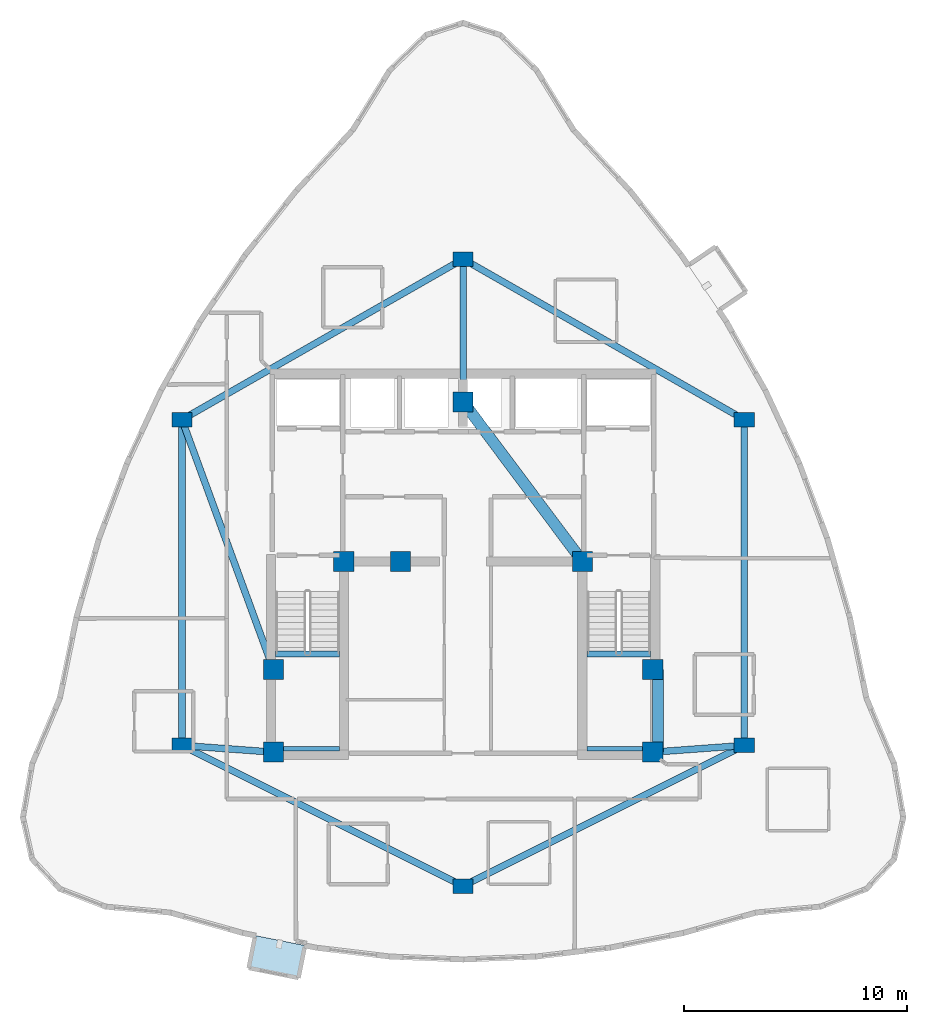
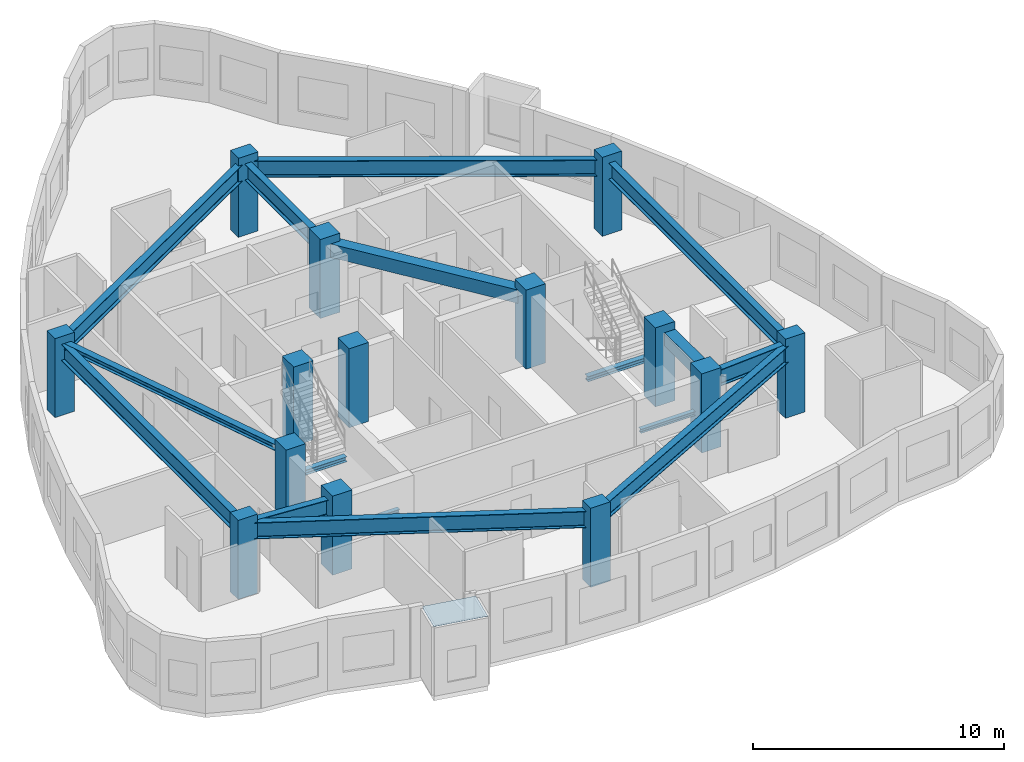
# One storey, part 1 of 10: 16 beams, 14 columns, 1 plate.
"""IFC4 building model written with IfcOpenShell, lengths in metres."""

from ifc_helpers import new_model, si_unit, direction, frame, origin, origin_2d, place, context, subcontext, project, spatial, polyline, rectangle, i_section, outline, extrude, material, layer, layer_set, material_profile, profile_set, type_object, element, save


model = new_model("IFC4")

# Units and contexts
model_context = context("Model", 3, precision=1e-05, world=origin(), true_north=direction((0.0, 1.0)))
body_context = subcontext(model_context, "Body", "Model", "MODEL_VIEW")
ifc_project = project(units=[si_unit("LENGTHUNIT", "METRE"), si_unit("AREAUNIT", "SQUARE_METRE"), si_unit("VOLUMEUNIT", "CUBIC_METRE"), si_unit("PLANEANGLEUNIT", "RADIAN"), si_unit("MASSUNIT", "GRAM", prefix="KILO")], contexts=[model_context])

# Site, building, storey
site_placement = place(None, origin())
site = spatial("IfcSite", under=ifc_project, at=site_placement, CompositionType="ELEMENT")
building_placement = place(site_placement, origin())
building = spatial("IfcBuilding", under=site, at=building_placement, Name="Miruveldt Soraemaru", CompositionType="ELEMENT")
storey_placement = place(building_placement, frame((0.0, 0.0, 278.949951171875)))
storey = spatial("IfcBuildingStorey", under=building, at=storey_placement, Name="L76", CompositionType="ELEMENT", Elevation=278.949951171875)

# Columns
ifc_material_1 = material(Name="Concrete C50/60 (50 MPa)", Category="concrete")
ifc_material_profile_1 = material_profile(ifc_material_1, rectangle(XDim=0.89990234375, YDim=0.89990234375, at=origin_2d()), Name="Concrete C50/60 (50 MPa)", Category="concrete")
ifc_profile_set_1 = profile_set([ifc_material_profile_1], Name="Concrete C50/60 (50 MPa)")
column_type_1 = type_object("IfcColumnType", Name="COL-CORE-900", PredefinedType="COLUMN", material=ifc_profile_set_1)
for number, where, z_axis, x_axis, name in (
    (1, (35.5, 35.5, 0.0), (0.0, 0.0, 1.0), (1.0, 0.0, 0.0), "L76 Structural Column CC1"),
    (2, (38.64990234375, 44.050048828125, 0.0), (0.0, 0.0, 1.0), (1.0, 0.0, 0.0), "L76 Structural Column CC2"),
    (3, (52.5, 35.5, 0.0), (0.0, 0.0, 1.0), (1.0, 0.0, 0.0), "L76 Structural Column CC3"),
    (4, (52.5, 39.199951171875, 0.0), (0.0, 0.0, 1.0), (1.0, 0.0, 0.0), "L76 Structural Column CC4"),
    (5, (49.35009765625, 44.050048828125, 0.0), (0.0, 0.0, 1.0), (1.0, 0.0, 0.0), "L76 Structural Column CC5"),
    (6, (44.0, 51.199951171875, 0.0), (0.0, 0.0, 1.0), (1.0, 0.0, 0.0), "L76 Structural Column CC6"),
    (7, (35.5, 39.199951171875, 0.0), (0.0, 0.0, 1.0), (1.0, 0.0, 0.0), "L76 Structural Column CC7"),
    (8, (41.199951171875, 44.050048828125, 0.0), (0.0, 0.0, 1.0), (1.0, 0.0, 0.0), "L76 Structural Column CC8"),
):
    element("IfcColumn", number, at=place(storey_placement, frame(where, z_axis=z_axis, x_axis=x_axis)), inside=storey, type_object=column_type_1, Name=name, PredefinedType="COLUMN", context=body_context, shape_type="SweptSolid", body=[
        extrude(rectangle(XDim=0.89990234375, YDim=0.89990234375, at=origin_2d()), origin(), (0.0, 0.0, 1.0), 3.85009765625),
    ])
ifc_material_profile_2 = material_profile(ifc_material_1, rectangle(XDim=0.89990234375, YDim=0.64990234375, at=origin_2d()), Name="Concrete C50/60 (50 MPa)", Category="concrete")
ifc_profile_set_2 = profile_set([ifc_material_profile_2], Name="Concrete C50/60 (50 MPa)")
column_type_2 = type_object("IfcColumnType", Name="COL-TW-Z4", PredefinedType="COLUMN", material=ifc_profile_set_2)
for number, where, z_axis, x_axis, name in (
    (9, (44.0, 57.60009765625, 0.0), (0.0, 0.0, 1.0), (1.0, 0.0, 0.0), "L76 Structural Column IR01"),
    (10, (56.60009765625, 50.39990234375, 0.0), (0.0, 0.0, 1.0), (1.0, 0.0, 0.0), "L76 Structural Column IR02"),
    (11, (56.60009765625, 35.800048828125, 0.0), (0.0, 0.0, 1.0), (1.0, 0.0, 0.0), "L76 Structural Column IR03"),
    (12, (44.0, 29.5, 0.0), (0.0, 0.0, 1.0), (1.0, 0.0, 0.0), "L76 Structural Column IR04"),
    (13, (31.39990234375, 35.800048828125, 0.0), (0.0, 0.0, 1.0), (1.0, 0.0, 0.0), "L76 Structural Column IR05"),
    (14, (31.39990234375, 50.39990234375, 0.0), (0.0, 0.0, 1.0), (1.0, 0.0, 0.0), "L76 Structural Column IR06"),
):
    element("IfcColumn", number, at=place(storey_placement, frame(where, z_axis=z_axis, x_axis=x_axis)), inside=storey, type_object=column_type_2, Name=name, PredefinedType="COLUMN", context=body_context, shape_type="SweptSolid", body=[
        extrude(rectangle(XDim=0.89990234375, YDim=0.64990234375, at=origin_2d()), origin(), (0.0, 0.0, 1.0), 3.85009765625),
    ])

# Beams
ifc_material_2 = material(Name="Steel SM355 (355 MPa)", Category="steel")
ifc_material_profile_3 = material_profile(ifc_material_2, i_section(OverallWidth=0.300048828125, OverallDepth=0.300048828125, WebThickness=0.010009765625, FlangeThickness=0.014892578125, FilletRadius=0.01806640625, at=origin_2d()), Name="Steel SM355 (355 MPa)", Category="steel")
ifc_profile_set_3 = profile_set([ifc_material_profile_3], Name="Steel SM355 (355 MPa)")
beam_type_1 = type_object("IfcBeamType", Name="BM-LNT-H300", PredefinedType="LINTEL", material=ifc_profile_set_3)
beam_1_placement = place(storey_placement, frame((31.39990234375, 50.39990234375, 3.320068359375), z_axis=(0.343770424598, -0.939053723262, 0.0), x_axis=(0.939053723262, 0.343770424598, 0.0)))
element("IfcBeam", 15, at=beam_1_placement, inside=storey, type_object=beam_type_1, Name="L76 West Lobby Lintel", PredefinedType="LINTEL", context=body_context, shape_type="SweptSolid", body=[
    extrude(i_section(OverallWidth=0.300048828125, OverallDepth=0.300048828125, WebThickness=0.010009765625, FlangeThickness=0.014892578125, FilletRadius=0.01806640625, at=origin_2d()), origin(), (0.0, 0.0, 1.0), 11.9267578125),
])
ifc_material_profile_4 = material_profile(ifc_material_1, rectangle(XDim=0.5, YDim=0.64990234375, at=origin_2d()), Name="Concrete C50/60 (50 MPa)", Category="concrete")
ifc_profile_set_4 = profile_set([ifc_material_profile_4], Name="Concrete C50/60 (50 MPa)")
beam_type_2 = type_object("IfcBeamType", Name="BM-RC-500x650", PredefinedType="BEAM", material=ifc_profile_set_4)
beam_2_placement = place(storey_placement, frame((52.72998046875, 35.5, 3.14501953125), z_axis=(0.0, 1.0, 0.0), x_axis=(-1.0, 0.0, 0.0)))
element("IfcBeam", 16, at=beam_2_placement, inside=storey, type_object=beam_type_2, Name="L76 Core Tie Beam 3", PredefinedType="BEAM", context=body_context, shape_type="SweptSolid", body=[
    extrude(rectangle(XDim=0.5, YDim=0.64990234375, at=origin_2d()), origin(), (0.0, 0.0, 1.0), 3.699951171875),
])
beam_3_placement = place(storey_placement, frame((49.35009765625, 44.050048828125, 3.14501953125), z_axis=(-0.599116023999, 0.800662219533, 0.0), x_axis=(-0.800662219533, -0.599116023999, 0.0)))
element("IfcBeam", 17, at=beam_3_placement, inside=storey, type_object=beam_type_2, Name="L76 Core Tie Beam 5", PredefinedType="BEAM", context=body_context, shape_type="SweptSolid", body=[
    extrude(rectangle(XDim=0.5, YDim=0.64990234375, at=origin_2d()), origin(), (0.0, 0.0, 1.0), 8.929931640625),
])
ifc_material_3 = material(Name="Steel S460 (460 MPa)", Category="steel")
ifc_material_profile_5 = material_profile(ifc_material_3, i_section(OverallWidth=0.300048828125, OverallDepth=0.800048828125, WebThickness=0.013916015625, FlangeThickness=0.02587890625, FilletRadius=0.028076171875, at=origin_2d()), Name="Steel S460 (460 MPa)", Category="steel")
ifc_profile_set_5 = profile_set([ifc_material_profile_5], Name="Steel S460 (460 MPa)")
beam_type_3 = type_object("IfcBeamType", Name="BM-ST-H800", PredefinedType="BEAM", material=ifc_profile_set_5)
beam_4_placement = place(storey_placement, frame((44.0, 57.60009765625, 3.070068359375), z_axis=(0.868239001029, -0.496146185203, 0.0), x_axis=(0.496146185203, 0.868239001029, 0.0)))
element("IfcBeam", 18, at=beam_4_placement, inside=storey, type_object=beam_type_3, Name="L76 Inner Ring Girder 1", PredefinedType="BEAM", context=body_context, shape_type="SweptSolid", body=[
    extrude(i_section(OverallWidth=0.300048828125, OverallDepth=0.800048828125, WebThickness=0.013916015625, FlangeThickness=0.02587890625, FilletRadius=0.028076171875, at=origin_2d()), origin(), (0.0, 0.0, 1.0), 14.51220703125),
])
beam_5_placement = place(storey_placement, frame((44.0, 51.199951171875, 3.070068359375), z_axis=(0.0, 1.0, 0.0), x_axis=(-1.0, 0.0, 0.0)))
element("IfcBeam", 19, at=beam_5_placement, inside=storey, type_object=beam_type_3, Name="L76 Core-to-Inner Radial Girder 1", PredefinedType="BEAM", context=body_context, shape_type="SweptSolid", body=[
    extrude(i_section(OverallWidth=0.300048828125, OverallDepth=0.800048828125, WebThickness=0.013916015625, FlangeThickness=0.02587890625, FilletRadius=0.028076171875, at=origin_2d()), origin(), (0.0, 0.0, 1.0), 6.400146484375),
])
beam_6_placement = place(storey_placement, frame((56.60009765625, 50.39990234375, 3.070068359375), z_axis=(0.0, -1.0, 0.0), x_axis=(1.0, 0.0, 0.0)))
element("IfcBeam", 20, at=beam_6_placement, inside=storey, type_object=beam_type_3, Name="L76 Inner Ring Girder 2", PredefinedType="BEAM", context=body_context, shape_type="SweptSolid", body=[
    extrude(i_section(OverallWidth=0.300048828125, OverallDepth=0.800048828125, WebThickness=0.013916015625, FlangeThickness=0.02587890625, FilletRadius=0.028076171875, at=origin_2d()), origin(), (0.0, 0.0, 1.0), 14.599853515625),
])
beam_7_placement = place(storey_placement, frame((56.60009765625, 35.800048828125, 3.070068359375), z_axis=(-0.894427191, -0.4472135955, 0.0), x_axis=(0.4472135955, -0.894427191, 0.0)))
element("IfcBeam", 21, at=beam_7_placement, inside=storey, type_object=beam_type_3, Name="L76 Inner Ring Girder 3", PredefinedType="BEAM", context=body_context, shape_type="SweptSolid", body=[
    extrude(i_section(OverallWidth=0.300048828125, OverallDepth=0.800048828125, WebThickness=0.013916015625, FlangeThickness=0.02587890625, FilletRadius=0.028076171875, at=origin_2d()), origin(), (0.0, 0.0, 1.0), 14.08740234375),
])
beam_8_placement = place(storey_placement, frame((52.5, 35.5, 3.070068359375), z_axis=(0.997332985605, 0.072985723431, 0.0), x_axis=(-0.072985723431, 0.997332985605, 0.0)))
element("IfcBeam", 22, at=beam_8_placement, inside=storey, type_object=beam_type_3, Name="L76 Core-to-Inner Radial Girder 3", PredefinedType="BEAM", context=body_context, shape_type="SweptSolid", body=[
    extrude(i_section(OverallWidth=0.300048828125, OverallDepth=0.800048828125, WebThickness=0.013916015625, FlangeThickness=0.02587890625, FilletRadius=0.028076171875, at=origin_2d()), origin(), (0.0, 0.0, 1.0), 4.111083984375),
])
beam_9_placement = place(storey_placement, frame((44.0, 29.5, 3.070068359375), z_axis=(-0.894427191, 0.4472135955, 0.0), x_axis=(-0.4472135955, -0.894427191, 0.0)))
element("IfcBeam", 23, at=beam_9_placement, inside=storey, type_object=beam_type_3, Name="L76 Inner Ring Girder 4", PredefinedType="BEAM", context=body_context, shape_type="SweptSolid", body=[
    extrude(i_section(OverallWidth=0.300048828125, OverallDepth=0.800048828125, WebThickness=0.013916015625, FlangeThickness=0.02587890625, FilletRadius=0.028076171875, at=origin_2d()), origin(), (0.0, 0.0, 1.0), 14.08740234375),
])
beam_10_placement = place(storey_placement, frame((31.39990234375, 35.800048828125, 3.070068359375), z_axis=(0.0, 1.0, 0.0), x_axis=(-1.0, 0.0, 0.0)))
element("IfcBeam", 24, at=beam_10_placement, inside=storey, type_object=beam_type_3, Name="L76 Inner Ring Girder 5", PredefinedType="BEAM", context=body_context, shape_type="SweptSolid", body=[
    extrude(i_section(OverallWidth=0.300048828125, OverallDepth=0.800048828125, WebThickness=0.013916015625, FlangeThickness=0.02587890625, FilletRadius=0.028076171875, at=origin_2d()), origin(), (0.0, 0.0, 1.0), 14.599853515625),
])
beam_11_placement = place(storey_placement, frame((35.5, 35.5, 3.070068359375), z_axis=(-0.997332985605, 0.072985723431, 0.0), x_axis=(-0.072985723431, -0.997332985605, 0.0)))
element("IfcBeam", 25, at=beam_11_placement, inside=storey, type_object=beam_type_3, Name="L76 Core-to-Inner Radial Girder 5", PredefinedType="BEAM", context=body_context, shape_type="SweptSolid", body=[
    extrude(i_section(OverallWidth=0.300048828125, OverallDepth=0.800048828125, WebThickness=0.013916015625, FlangeThickness=0.02587890625, FilletRadius=0.028076171875, at=origin_2d()), origin(), (0.0, 0.0, 1.0), 4.111083984375),
])
beam_12_placement = place(storey_placement, frame((31.39990234375, 50.39990234375, 3.070068359375), z_axis=(0.868239001029, 0.496146185203, 0.0), x_axis=(-0.496146185203, 0.868239001029, 0.0)))
element("IfcBeam", 26, at=beam_12_placement, inside=storey, type_object=beam_type_3, Name="L76 Inner Ring Girder 6", PredefinedType="BEAM", context=body_context, shape_type="SweptSolid", body=[
    extrude(i_section(OverallWidth=0.300048828125, OverallDepth=0.800048828125, WebThickness=0.013916015625, FlangeThickness=0.02587890625, FilletRadius=0.028076171875, at=origin_2d()), origin(), (0.0, 0.0, 1.0), 14.51220703125),
])
ifc_material_profile_6 = material_profile(ifc_material_2, i_section(OverallWidth=0.199951171875, OverallDepth=0.199951171875, WebThickness=0.008056640625, FlangeThickness=0.011962890625, FilletRadius=0.012939453125, at=origin_2d()), Name="Steel SM355 (355 MPa)", Category="steel")
ifc_profile_set_6 = profile_set([ifc_material_profile_6], Name="Steel SM355 (355 MPa)")
beam_type_4 = type_object("IfcBeamType", Name="BM-ST-LND200", PredefinedType="BEAM", material=ifc_profile_set_6)
for number, where, z_axis, x_axis, name in (
    (27, (35.60009765625, 35.64990234375, 1.625), (1.0, 0.0, 0.0), (0.0, 1.0, 0.0), "L76 ST1 Landing End Beam 1B"),
    (28, (49.550048828125, 35.64990234375, 1.625), (1.0, 0.0, 0.0), (0.0, 1.0, 0.0), "L76 ST2 Landing End Beam 1B"),
):
    element("IfcBeam", number, at=place(storey_placement, frame(where, z_axis=z_axis, x_axis=x_axis)), inside=storey, type_object=beam_type_4, Name=name, PredefinedType="BEAM", context=body_context, shape_type="SweptSolid", body=[
        extrude(i_section(OverallWidth=0.199951171875, OverallDepth=0.199951171875, WebThickness=0.008056640625, FlangeThickness=0.011962890625, FilletRadius=0.012939453125, at=origin_2d()), origin(), (0.0, 0.0, 1.0), 2.849853515625),
    ])
ifc_material_profile_7 = material_profile(ifc_material_2, i_section(OverallWidth=0.25, OverallDepth=0.25, WebThickness=0.009033203125, FlangeThickness=0.013916015625, FilletRadius=0.01611328125, at=origin_2d()), Name="Steel SM355 (355 MPa)", Category="steel")
ifc_profile_set_7 = profile_set([ifc_material_profile_7], Name="Steel SM355 (355 MPa)")
beam_type_5 = type_object("IfcBeamType", Name="BM-ST-LND250", PredefinedType="BEAM", material=ifc_profile_set_7)
for number, where, z_axis, x_axis, name in (
    (29, (35.60009765625, 39.89990234375, 1.60009765625), (1.0, 0.0, 0.0), (0.0, 1.0, 0.0), "L76 ST1 Landing Support Beam 1A"),
    (30, (49.550048828125, 39.89990234375, 1.60009765625), (1.0, 0.0, 0.0), (0.0, 1.0, 0.0), "L76 ST2 Landing Support Beam 1A"),
):
    element("IfcBeam", number, at=place(storey_placement, frame(where, z_axis=z_axis, x_axis=x_axis)), inside=storey, type_object=beam_type_5, Name=name, PredefinedType="BEAM", context=body_context, shape_type="SweptSolid", body=[
        extrude(i_section(OverallWidth=0.25, OverallDepth=0.25, WebThickness=0.009033203125, FlangeThickness=0.013916015625, FilletRadius=0.01611328125, at=origin_2d()), origin(), (0.0, 0.0, 1.0), 2.849853515625),
    ])

# Plate
ifc_material_4 = material(Name="Standing-seam titanium-zinc sheet", Category="aluminium")
ifc_layer = layer(ifc_material_4, 0.011962890625, Name="Standing-seam titanium-zinc sheet", Category="aluminium")
ifc_layer_set = layer_set([ifc_layer], Name="Standing-seam titanium-zinc sheet")
plate_type = type_object("IfcPlateType", Name="PLT-ZINC-12", PredefinedType="SHEET", material=ifc_layer_set)
plate_placement = place(storey_placement, frame((0.0, 0.0, 3.320068359375)))
element("IfcPlate", 31, at=plate_placement, inside=storey, type_object=plate_type, Name="L76 Bay Window Zinc Hood Sheet 1", PredefinedType="SHEET", context=body_context, shape_type="SweptSolid", body=[
    extrude(outline(polyline([(34.680419921875, 27.2802734375), (36.912109375, 26.833984375), (36.621826171875, 25.382568359375), (34.39013671875, 25.828857421875), (34.680419921875, 27.2802734375)])), origin(), (0.0, 0.0, 1.0), 0.011962890625),
])

save(model, "model.ifc")
